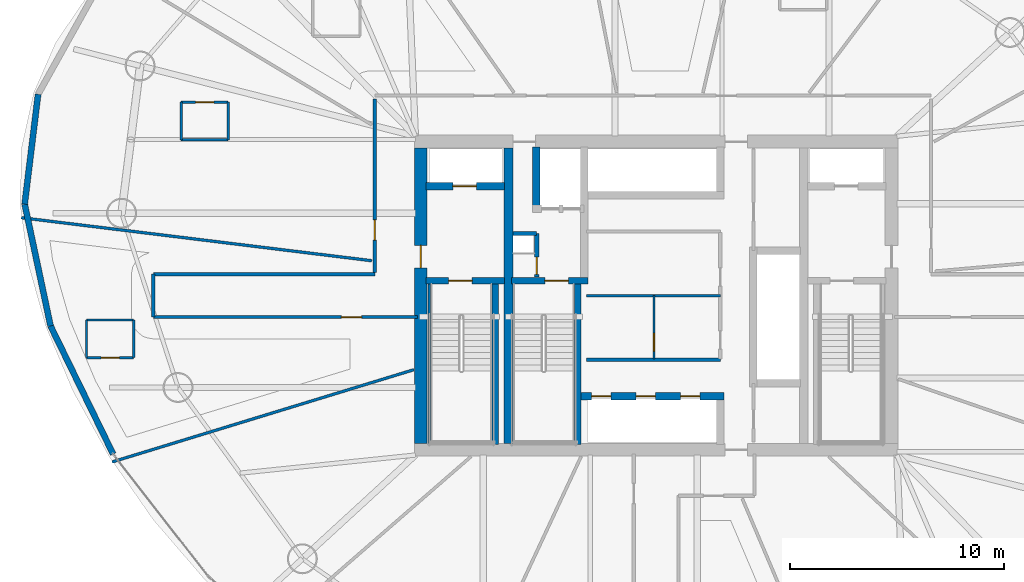
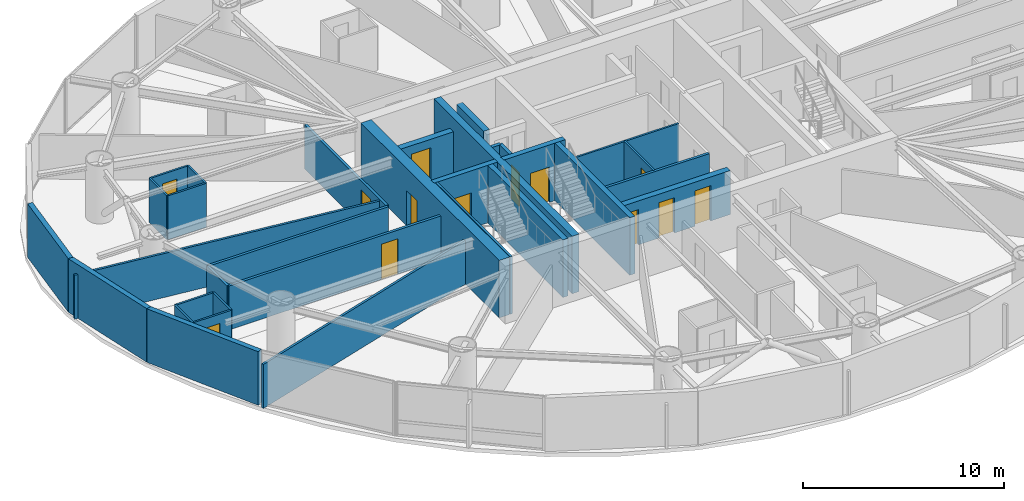
# One storey, part 14 of 20: 32 walls, 13 doors, 13 openings.
"""IFC4 building model written with IfcOpenShell, lengths in metres."""

import ifcopenshell
import ifcopenshell.guid

model = None  # the IFC model being written
_history = None  # IfcOwnerHistory: only IFC2X3 demands one
_inside = {}  # id of a spatial element -> (the spatial element, [elements in it])
_under = {}  # id of a project, library or spatial element -> (it, [spatial elements below it])
_declared = {}  # id of a project -> (the project, [libraries it declares])
_typed = {}  # id of a type object -> (the type object, [elements of that type])
_made_of = {}  # id of a material, layer set ... -> (it, [elements and type objects made of it])


def new_model(schema):
    """Start an empty IFC model of exactly this schema.

    Asked for "IFC4X3", IfcOpenShell would pick the latest addendum, in which some entities
    have other attributes; the version numbers below select the first issue.
    IFC2X3 requires an IfcOwnerHistory on every rooted entity: one is made here for all.
    """
    global model, _history
    if schema == "IFC4X3":
        model = ifcopenshell.file(schema_version=(4, 3, 0, 0))
    else:
        model = ifcopenshell.file(schema=schema)
    _inside.clear()
    _under.clear()
    _declared.clear()
    _typed.clear()
    _made_of.clear()
    _history = None
    if model.schema == "IFC2X3":
        org = make("IfcOrganization", Name="unknown")
        user = make(
            "IfcPersonAndOrganization",
            ThePerson=make("IfcPerson", FamilyName="unknown"),
            TheOrganization=org,
        )
        app = make(
            "IfcApplication",
            ApplicationDeveloper=org,
            Version="unknown",
            ApplicationFullName="unknown",
            ApplicationIdentifier="unknown",
        )
        _history = make(
            "IfcOwnerHistory",
            OwningUser=user,
            OwningApplication=app,
            ChangeAction="ADDED",
            CreationDate=0,
        )
    return model


def make(cls, **values):
    """One entity of the class cls with the attributes given. An attribute that is None is left unset."""
    return model.create_entity(
        cls, **{name: value for name, value in values.items() if value is not None}
    )


def rooted(cls, **values):
    """An entity with a GlobalId (a new one), such as an element, a storey or a relation."""
    return make(cls, GlobalId=ifcopenshell.guid.new(), OwnerHistory=_history, **values)


def si_unit(unit_type, name, prefix=None):
    """IfcSIUnit, for example si_unit("LENGTHUNIT", "METRE", prefix="MILLI")."""
    return make("IfcSIUnit", UnitType=unit_type, Prefix=prefix, Name=name)


def assignment(units):
    """IfcUnitAssignment: the units of a project."""
    return None if units is None else make("IfcUnitAssignment", Units=units)


def point(xyz):
    """IfcCartesianPoint."""
    return None if xyz is None else make("IfcCartesianPoint", Coordinates=xyz)


def direction(xyz):
    """IfcDirection."""
    return None if xyz is None else make("IfcDirection", DirectionRatios=xyz)


def frame(location, z_axis=None, x_axis=None):
    """IfcAxis2Placement3D, a coordinate frame: its origin and axes. An axis left out is left unset."""
    return make(
        "IfcAxis2Placement3D",
        Location=point(location),
        Axis=direction(z_axis),
        RefDirection=direction(x_axis),
    )


def frame_2d(location, x_axis=None):
    """IfcAxis2Placement2D, a coordinate frame in the plane: its origin and x axis."""
    return make(
        "IfcAxis2Placement2D", Location=point(location), RefDirection=direction(x_axis)
    )


def origin():
    """The frame at (0, 0, 0) with its axes left unset."""
    return frame((0.0, 0.0, 0.0))


def place(relative_to, where):
    """IfcLocalPlacement: puts the frame where relative to a parent placement (None: the world)."""
    return make(
        "IfcLocalPlacement", PlacementRelTo=relative_to, RelativePlacement=where
    )


def context(
    kind, dimensions, precision=None, world=None, true_north=None, identifier=None
):
    """IfcGeometricRepresentationContext, for example the 3D "Model" context."""
    return make(
        "IfcGeometricRepresentationContext",
        ContextIdentifier=identifier,
        ContextType=kind,
        CoordinateSpaceDimension=dimensions,
        Precision=precision,
        WorldCoordinateSystem=world,
        TrueNorth=true_north,
    )


def subcontext(parent, identifier, kind, view, scale=None):
    """IfcGeometricRepresentationSubContext, for example "Body" below "Model"."""
    return make(
        "IfcGeometricRepresentationSubContext",
        ContextIdentifier=identifier,
        ContextType=kind,
        ParentContext=parent,
        TargetScale=scale,
        TargetView=view,
    )


def project(units=None, contexts=None):
    """IfcProject with its units and contexts."""
    return rooted(
        "IfcProject",
        Name="project",
        RepresentationContexts=contexts,
        UnitsInContext=assignment(units),
    )


def spatial(cls, under=None, at=None, **own):
    """A site, building, storey or space (cls), placed at a placement, below another one or the project."""
    s = rooted(cls, ObjectPlacement=at, **own)
    if under is not None:
        _under.setdefault(under.id(), (under, []))[1].append(s)
    return s


def profile(cls, at=None, kind="AREA", **sizes):
    """A parametric profile (cls). Its sizes go by their IFC names, for example OverallWidth=200.0."""
    return make(cls, ProfileType=kind, Position=at, **sizes)


def rectangle(**sizes):
    """IfcRectangleProfileDef."""
    return profile("IfcRectangleProfileDef", **sizes)


def extrude(swept, where, along, depth):
    """IfcExtrudedAreaSolid: the profile swept, set in the frame where, extruded along a direction by depth."""
    return make(
        "IfcExtrudedAreaSolid",
        SweptArea=swept,
        Position=where,
        ExtrudedDirection=direction(along),
        Depth=depth,
    )


def shape(context_of_items, identifier, shape_type, items):
    """IfcShapeRepresentation: the items that make up one representation, for example the "Body"."""
    return make(
        "IfcShapeRepresentation",
        ContextOfItems=context_of_items,
        RepresentationIdentifier=identifier,
        RepresentationType=shape_type,
        Items=items,
    )


def material(Name=None, Category=None):
    """IfcMaterial."""
    return make("IfcMaterial", Name=Name, Category=Category)


def layer(
    of_material, thickness, ventilated=None, Name=None, Category=None, Priority=None
):
    """IfcMaterialLayer: one layer of a wall or slab, of a material (None: an air gap)."""
    return make(
        "IfcMaterialLayer",
        Material=of_material,
        LayerThickness=thickness,
        IsVentilated=ventilated,
        Name=Name,
        Category=Category,
        Priority=Priority,
    )


def layer_set(layers, Name=None):
    """IfcMaterialLayerSet."""
    return make("IfcMaterialLayerSet", MaterialLayers=layers, LayerSetName=Name)


def made_of(thing, what):
    """Note that an element or type object is made of a material, layer set ...; save() writes the relation."""
    if what is not None:
        _made_of.setdefault(what.id(), (what, []))[1].append(thing)
    return thing


def type_object(cls, material=None, **own):
    """A type object (cls), such as IfcWallType, which elements share."""
    return made_of(rooted(cls, **own), material)


def element(
    cls,
    number,
    at=None,
    inside=None,
    cuts=None,
    type_object=None,
    material=None,
    context=None,
    identifier="Body",
    shape_type=None,
    held_by="IfcProductDefinitionShape",
    body=None,
    shapes=None,
    **own,
):
    """One element of the class cls, such as IfcWall. Its Tag is "e" and its number.

    at: its placement. inside: the storey or other place that contains it. cuts: it is an
    opening in that element (IfcRelVoidsElement). A single representation is given by context,
    identifier, shape_type and body (its items); several are given by shapes. held_by: the class
    of the entity that holds the representations. save() writes the other relations.
    """
    e = rooted(cls, Tag="e%d" % number, ObjectPlacement=at, **own)
    if body is not None:
        shapes = [shape(context, identifier, shape_type, body)]
    if shapes is not None:
        e.Representation = make(held_by, Representations=shapes)
    if inside is not None:
        _inside.setdefault(inside.id(), (inside, []))[1].append(e)
    if cuts is not None:
        rooted(
            "IfcRelVoidsElement", RelatingBuildingElement=cuts, RelatedOpeningElement=e
        )
    if type_object is not None:
        _typed.setdefault(type_object.id(), (type_object, []))[1].append(e)
    return made_of(e, material)


def fill(opening, filler):
    """IfcRelFillsElement: the door or window that sits in an opening."""
    return rooted(
        "IfcRelFillsElement",
        RelatingOpeningElement=opening,
        RelatedBuildingElement=filler,
    )


def aggregate(whole, parts):
    """IfcRelAggregates: a whole, such as a stair, and the parts it consists of."""
    return rooted("IfcRelAggregates", RelatingObject=whole, RelatedObjects=parts)


def save(model, path):
    """Write the relations noted so far, then the file.

    IfcRelAggregates (storeys below a building ...), IfcRelContainedInSpatialStructure (elements
    in a storey), IfcRelDefinesByType, IfcRelAssociatesMaterial and IfcRelDeclares: one each for
    every whole, place, type object, material and project.
    """
    for whole, parts in _under.values():
        aggregate(whole, parts)
    for where, things in _inside.values():
        rooted(
            "IfcRelContainedInSpatialStructure",
            RelatedElements=things,
            RelatingStructure=where,
        )
    for kind, things in _typed.values():
        rooted("IfcRelDefinesByType", RelatedObjects=things, RelatingType=kind)
    for what, things in _made_of.values():
        rooted("IfcRelAssociatesMaterial", RelatedObjects=things, RelatingMaterial=what)
    for by, libraries in _declared.values():
        rooted("IfcRelDeclares", RelatingContext=by, RelatedDefinitions=libraries)
    model.write(path)


model = new_model("IFC4")

# Units and contexts
model_context = context("Model", 3, precision=1e-05, world=origin(), true_north=direction((0.0, 1.0)))
body_context = subcontext(model_context, "Body", "Model", "MODEL_VIEW")
ifc_project = project(units=[si_unit("LENGTHUNIT", "METRE"), si_unit("AREAUNIT", "SQUARE_METRE"), si_unit("VOLUMEUNIT", "CUBIC_METRE"), si_unit("PLANEANGLEUNIT", "RADIAN"), si_unit("MASSUNIT", "GRAM", prefix="KILO")], contexts=[model_context])

# Site, building, storey
site_placement = place(None, origin())
site = spatial("IfcSite", under=ifc_project, at=site_placement, CompositionType="ELEMENT")
building_placement = place(site_placement, origin())
building = spatial("IfcBuilding", under=site, at=building_placement, Name="Bramvorn Convention Spire", CompositionType="ELEMENT")
storey_placement = place(building_placement, frame((0.0, 0.0, 106.300048828125)))
storey = spatial("IfcBuildingStorey", under=building, at=storey_placement, Name="L25", CompositionType="ELEMENT", Elevation=106.300048828125)

# Wall, opening, door
ifc_material_1 = material(Name="Concrete C60/70", Category="concrete")
ifc_layer_1 = layer(ifc_material_1, 0.60009765625)
ifc_layer_set_1 = layer_set([ifc_layer_1], Name="Concrete C60/70 - WL-CORE-600")
wall_type_1 = type_object("IfcWallType", Name="WL-CORE-600", PredefinedType="SHEAR", material=ifc_layer_set_1)
wall_1_placement = place(storey_placement, frame((27.0, 19.10009765625, 0.0), z_axis=(0.0, 0.0, 1.0), x_axis=(0.0, 1.0, 0.0)))
wall_1 = element("IfcWall", 1, at=wall_1_placement, inside=storey, type_object=wall_type_1, Name="L25 West RC core shear wall", PredefinedType="SHEAR", context=body_context, shape_type="SweptSolid", body=[
    extrude(rectangle(XDim=13.7998046875, YDim=0.60009765625, at=frame_2d((6.89990234375, 0.0))), origin(), (0.0, 0.0, 1.0), 3.5),
])
opening_1_placement = place(wall_1_placement, frame((8.199951171875, 0.0, 0.0)))
opening_1 = element("IfcOpeningElement", 2, at=opening_1_placement, cuts=wall_1, Name="Opening DL-105", PredefinedType="OPENING", context=body_context, shape_type="SweptSolid", body=[
    extrude(rectangle(XDim=1.050048828125, YDim=2.14990234375, at=frame_2d((0.52490234375, 1.074951171875))), frame((0.0, 0.31005859375, 0.0), z_axis=(0.0, -1.0, 0.0), x_axis=(1.0, 0.0, 0.0)), (0.0, 0.0, 1.0), 0.6201171875),
])
ifc_material_2 = material(Name="Smoke-Sealed Fire Lobby Timber-Core Door", Category="wood")
door_type_1 = type_object("IfcDoorType", Name="DR-LOBBY-1050", OperationType="NOTDEFINED", PredefinedType="DOOR", material=ifc_material_2)
door_1_placement = place(opening_1_placement, origin())
door_1 = element("IfcDoor", 3, at=door_1_placement, inside=storey, type_object=door_type_1, Name="L25 West Firefighting Lobby corridor door", OperationType="SINGLE_SWING_RIGHT", OverallHeight=2.14990234375, OverallWidth=1.050048828125, PredefinedType="DOOR", context=body_context, shape_type="SweptSolid", body=[
    extrude(rectangle(XDim=1.050048828125, YDim=2.14990234375, at=frame_2d((0.52490234375, 1.074951171875))), frame((0.0, 0.02490234375, 0.0), z_axis=(0.0, -1.0, 0.0), x_axis=(1.0, 0.0, 0.0)), (0.0, 0.0, 1.0), 0.050048828125),
])
fill(opening_1, door_1)

ifc_material_3 = material(Name="Concrete C50/60", Category="concrete")
ifc_layer_2 = layer(ifc_material_3, 0.35009765625)
ifc_layer_set_2 = layer_set([ifc_layer_2], Name="Concrete C50/60 - WL-CORE-INT-350")
wall_type_2 = type_object("IfcWallType", Name="WL-CORE-INT-350", PredefinedType="SHEAR", material=ifc_layer_set_2)
wall_2_placement = place(storey_placement, frame((27.25, 31.1201171875, 0.0), z_axis=(0.0, 0.0, 1.0), x_axis=(1.0, 0.0, 0.0)))
wall_2 = element("IfcWall", 4, at=wall_2_placement, inside=storey, type_object=wall_type_2, Name="L25 FE1 shaft front wall", PredefinedType="SHEAR", context=body_context, shape_type="SweptSolid", body=[
    extrude(rectangle(XDim=3.669921875, YDim=0.35009765625, at=frame_2d((1.8349609375, 0.0))), origin(), (0.0, 0.0, 1.0), 2.675048828125),
])
opening_2_placement = place(wall_2_placement, frame((1.25, 0.0, 0.0)))
opening_2 = element("IfcOpeningElement", 5, at=opening_2_placement, cuts=wall_2, Name="Opening LD-110", PredefinedType="OPENING", context=body_context, shape_type="SweptSolid", body=[
    extrude(rectangle(XDim=1.10009765625, YDim=2.14990234375, at=frame_2d((0.550048828125, 1.074951171875))), frame((0.0, 0.18505859375, 0.0), z_axis=(0.0, -1.0, 0.0), x_axis=(1.0, 0.0, 0.0)), (0.0, 0.0, 1.0), 0.3701171875),
])
ifc_material_4 = material(Name="Firefighting & Service Lift Sliding Landing Door", Category="steel")
door_type_2 = type_object("IfcDoorType", Name="DR-LIFT-LD-1100", OperationType="NOTDEFINED", PredefinedType="DOOR", material=ifc_material_4)
door_2_placement = place(opening_2_placement, origin())
door_2 = element("IfcDoor", 6, at=door_2_placement, inside=storey, type_object=door_type_2, Name="L25 Lift FE1 Sliding Landing Door", OperationType="SLIDING_TO_LEFT", OverallHeight=2.14990234375, OverallWidth=1.10009765625, PredefinedType="DOOR", context=body_context, shape_type="SweptSolid", body=[
    extrude(rectangle(XDim=1.10009765625, YDim=2.14990234375, at=frame_2d((0.550048828125, 1.074951171875))), frame((0.0, 0.02490234375, 0.0), z_axis=(0.0, -1.0, 0.0), x_axis=(1.0, 0.0, 0.0)), (0.0, 0.0, 1.0), 0.050048828125),
])
fill(opening_2, door_2)

# Wall
wall_3_placement = place(storey_placement, frame((32.39990234375, 30.219970703125, 0.0), z_axis=(0.0, 0.0, 1.0), x_axis=(0.0, 1.0, 0.0)))
element("IfcWall", 7, at=wall_3_placement, inside=storey, type_object=wall_type_2, Name="L25 SV1 west hoistway wall", PredefinedType="SHEAR", context=body_context, shape_type="SweptSolid", body=[
    extrude(rectangle(XDim=2.72998046875, YDim=0.35009765625, at=frame_2d((1.364990234375, 0.0))), origin(), (0.0, 0.0, 1.0), 2.675048828125),
])

# Wall, openings, doors
wall_4_placement = place(storey_placement, frame((34.489990234375, 21.300048828125, 0.0), z_axis=(0.0, 0.0, 1.0), x_axis=(1.0, 0.0, 0.0)))
wall_4 = element("IfcWall", 8, at=wall_4_placement, inside=storey, type_object=wall_type_2, Name="L25 Mid-rise bank north landing wall", PredefinedType="SHEAR", context=body_context, shape_type="SweptSolid", body=[
    extrude(rectangle(XDim=6.679931640625, YDim=0.35009765625, at=frame_2d((3.33984375, 0.0))), origin(), (0.0, 0.0, 1.0), 2.675048828125),
])
opening_3_placement = place(wall_4_placement, frame((0.5, 0.0, 0.0)))
opening_3 = element("IfcOpeningElement", 9, at=opening_3_placement, cuts=wall_4, Name="Opening LD-090", PredefinedType="OPENING", context=body_context, shape_type="SweptSolid", body=[
    extrude(rectangle(XDim=0.89990234375, YDim=2.14990234375, at=frame_2d((0.449951171875, 1.074951171875))), frame((0.0, 0.18505859375, 0.0), z_axis=(0.0, -1.0, 0.0), x_axis=(1.0, 0.0, 0.0)), (0.0, 0.0, 1.0), 0.3701171875),
])
opening_4_placement = place(wall_4_placement, frame((2.580078125, 0.0, 0.0)))
opening_4 = element("IfcOpeningElement", 10, at=opening_4_placement, cuts=wall_4, Name="Opening LD-090", PredefinedType="OPENING", context=body_context, shape_type="SweptSolid", body=[
    extrude(rectangle(XDim=0.89990234375, YDim=2.14990234375, at=frame_2d((0.449951171875, 1.074951171875))), frame((0.0, 0.18505859375, 0.0), z_axis=(0.0, -1.0, 0.0), x_axis=(1.0, 0.0, 0.0)), (0.0, 0.0, 1.0), 0.3701171875),
])
opening_5_placement = place(wall_4_placement, frame((4.659912109375, 0.0, 0.0)))
opening_5 = element("IfcOpeningElement", 11, at=opening_5_placement, cuts=wall_4, Name="Opening LD-090", PredefinedType="OPENING", context=body_context, shape_type="SweptSolid", body=[
    extrude(rectangle(XDim=0.89990234375, YDim=2.14990234375, at=frame_2d((0.449951171875, 1.074951171875))), frame((0.0, 0.18505859375, 0.0), z_axis=(0.0, -1.0, 0.0), x_axis=(1.0, 0.0, 0.0)), (0.0, 0.0, 1.0), 0.3701171875),
])
ifc_material_5 = material(Name="Bi-Parting Fire-Rated Lift Landing Door", Category="steel")
door_type_3 = type_object("IfcDoorType", Name="DR-LIFT-LD-900", OperationType="NOTDEFINED", PredefinedType="DOOR", material=ifc_material_5)
door_3_placement = place(opening_3_placement, origin())
door_3 = element("IfcDoor", 12, at=door_3_placement, inside=storey, type_object=door_type_3, Name="L25 Lift PM1 Sliding Landing Door", OperationType="SLIDING_TO_LEFT", OverallHeight=2.14990234375, OverallWidth=0.89990234375, PredefinedType="DOOR", context=body_context, shape_type="SweptSolid", body=[
    extrude(rectangle(XDim=0.89990234375, YDim=2.14990234375, at=frame_2d((0.449951171875, 1.074951171875))), frame((0.0, 0.02490234375, 0.0), z_axis=(0.0, -1.0, 0.0), x_axis=(1.0, 0.0, 0.0)), (0.0, 0.0, 1.0), 0.050048828125),
])
fill(opening_3, door_3)
door_4_placement = place(opening_4_placement, origin())
door_4 = element("IfcDoor", 13, at=door_4_placement, inside=storey, type_object=door_type_3, Name="L25 Lift PM2 Sliding Landing Door", OperationType="SLIDING_TO_LEFT", OverallHeight=2.14990234375, OverallWidth=0.89990234375, PredefinedType="DOOR", context=body_context, shape_type="SweptSolid", body=[
    extrude(rectangle(XDim=0.89990234375, YDim=2.14990234375, at=frame_2d((0.449951171875, 1.074951171875))), frame((0.0, 0.02490234375, 0.0), z_axis=(0.0, -1.0, 0.0), x_axis=(1.0, 0.0, 0.0)), (0.0, 0.0, 1.0), 0.050048828125),
])
fill(opening_4, door_4)
door_5_placement = place(opening_5_placement, origin())
door_5 = element("IfcDoor", 14, at=door_5_placement, inside=storey, type_object=door_type_3, Name="L25 Lift PM3 Sliding Landing Door", OperationType="SLIDING_TO_LEFT", OverallHeight=2.14990234375, OverallWidth=0.89990234375, PredefinedType="DOOR", context=body_context, shape_type="SweptSolid", body=[
    extrude(rectangle(XDim=0.89990234375, YDim=2.14990234375, at=frame_2d((0.449951171875, 1.074951171875))), frame((0.0, 0.02490234375, 0.0), z_axis=(0.0, -1.0, 0.0), x_axis=(1.0, 0.0, 0.0)), (0.0, 0.0, 1.0), 0.050048828125),
])
fill(opening_5, door_5)

# Walls
ifc_layer_3 = layer(ifc_material_1, 0.39990234375)
ifc_layer_set_3 = layer_set([ifc_layer_3], Name="Concrete C60/70 - WL-CORE-INT-400")
wall_type_3 = type_object("IfcWallType", Name="WL-CORE-INT-400", PredefinedType="SHEAR", material=ifc_layer_set_3)
wall_5_placement = place(storey_placement, frame((31.10009765625, 19.10009765625, 0.0), z_axis=(0.0, 0.0, 1.0), x_axis=(0.0, 1.0, 0.0)))
element("IfcWall", 15, at=wall_5_placement, inside=storey, type_object=wall_type_3, Name="L25 West internal core shear web", PredefinedType="SHEAR", context=body_context, shape_type="SweptSolid", body=[
    extrude(rectangle(XDim=13.7998046875, YDim=0.39990234375, at=frame_2d((6.89990234375, 0.0))), origin(), (0.0, 0.0, 1.0), 3.5),
])
ifc_material_6 = material(Name="Precast Concrete C40/50 with Bronze Terracotta Rainscreen", Category="masonry")
ifc_layer_4 = layer(ifc_material_6, 0.300048828125)
ifc_layer_set_4 = layer_set([ifc_layer_4], Name="Precast Concrete C40/50 with Bronze Terracotta Rainscreen - WL-EXT-BRONZE-300")
wall_type_4 = type_object("IfcWallType", Name="WL-EXT-BRONZE-300", PredefinedType="SOLIDWALL", material=ifc_layer_set_4)
wall_6_placement = place(storey_placement, frame((8.487060546875, 30.277099609375, 0.0), z_axis=(0.0, 0.0, 1.0), x_axis=(0.121357138015, 0.992608908409, 0.0)))
element("IfcWall", 16, at=wall_6_placement, inside=storey, type_object=wall_type_4, Name="L25 expressed bronze Gothic lancet pier wall 13", PredefinedType="SOLIDWALL", context=body_context, shape_type="SweptSolid", body=[
    extrude(rectangle(XDim=5.17431640625, YDim=0.280029296875, at=frame_2d((2.587158203125, 0.0))), origin(), (0.0, 0.0, 1.0), 3.260009765625),
])
wall_7_placement = place(storey_placement, frame((9.697021484375, 24.581298828125, 0.0), z_axis=(0.0, 0.0, 1.0), x_axis=(-0.207793566565, 0.978172701364, 0.0)))
element("IfcWall", 17, at=wall_7_placement, inside=storey, type_object=wall_type_4, Name="L25 expressed bronze Gothic lancet pier wall 14", PredefinedType="SOLIDWALL", context=body_context, shape_type="SweptSolid", body=[
    extrude(rectangle(XDim=5.822998046875, YDim=0.280029296875, at=frame_2d((2.91162109375, 0.0))), origin(), (0.0, 0.0, 1.0), 3.260009765625),
])
wall_8_placement = place(storey_placement, frame((12.62255859375, 18.5927734375, 0.0), z_axis=(0.0, 0.0, 1.0), x_axis=(-0.43894534719, 0.898513762933, 0.0)))
element("IfcWall", 18, at=wall_8_placement, inside=storey, type_object=wall_type_4, Name="L25 expressed bronze Gothic lancet pier wall 15", PredefinedType="SOLIDWALL", context=body_context, shape_type="SweptSolid", body=[
    extrude(rectangle(XDim=6.6650390625, YDim=0.280029296875, at=frame_2d((3.33251953125, 0.0))), origin(), (0.0, 0.0, 1.0), 3.260009765625),
])
ifc_material_7 = material(Name="Lightweight En-Suite & Wet-Wall Partition", Category="gypsum")
ifc_layer_5 = layer(ifc_material_7, 0.110107421875)
ifc_layer_set_5 = layer_set([ifc_layer_5], Name="Lightweight En-Suite & Wet-Wall Partition - WL-PART-110")
wall_type_5 = type_object("IfcWallType", Name="WL-PART-110", PredefinedType="PARTITIONING", material=ifc_layer_set_5)
wall_9_placement = place(storey_placement, frame((34.75, 26.0, 0.0), z_axis=(0.0, 0.0, 1.0), x_axis=(1.0, 0.0, 0.0)))
element("IfcWall", 19, at=wall_9_placement, inside=storey, type_object=wall_type_5, Name="L25 KA horizontal core divider", PredefinedType="PARTITIONING", context=body_context, shape_type="SweptSolid", body=[
    extrude(rectangle(XDim=6.25, YDim=0.110107421875, at=frame_2d((3.125, 0.0))), origin(), (0.0, 0.0, 1.0), 2.675048828125),
])

# Wall, opening, door
wall_10_placement = place(storey_placement, frame((37.89990234375, 23.050048828125, 0.0), z_axis=(0.0, 0.0, 1.0), x_axis=(0.0, 1.0, 0.0)))
wall_10 = element("IfcWall", 20, at=wall_10_placement, inside=storey, type_object=wall_type_5, Name="L25 KA restroom subwall", PredefinedType="PARTITIONING", context=body_context, shape_type="SweptSolid", body=[
    extrude(rectangle(XDim=2.949951171875, YDim=0.110107421875, at=frame_2d((1.47509765625, 0.0))), origin(), (0.0, 0.0, 1.0), 2.675048828125),
])
opening_6_placement = place(wall_10_placement, frame((0.35009765625, 0.0, 0.0)))
opening_6 = element("IfcOpeningElement", 21, at=opening_6_placement, cuts=wall_10, Name="Opening DC-085", PredefinedType="OPENING", context=body_context, shape_type="SweptSolid", body=[
    extrude(rectangle(XDim=0.85009765625, YDim=2.10009765625, at=frame_2d((0.425048828125, 1.050048828125))), frame((0.0, 0.06494140625, 0.0), z_axis=(0.0, -1.0, 0.0), x_axis=(1.0, 0.0, 0.0)), (0.0, 0.0, 1.0), 0.130126953125),
])
ifc_material_8 = material(Name="Fire-Rated Core Washroom & IDF Door", Category="wood")
door_type_4 = type_object("IfcDoorType", Name="DR-CORE-850", OperationType="NOTDEFINED", PredefinedType="DOOR", material=ifc_material_8)
door_6_placement = place(opening_6_placement, origin())
door_6 = element("IfcDoor", 22, at=door_6_placement, inside=storey, type_object=door_type_4, Name="L25 Core IT Closet door", OperationType="SINGLE_SWING_LEFT", OverallHeight=2.10009765625, OverallWidth=0.85009765625, PredefinedType="DOOR", context=body_context, shape_type="SweptSolid", body=[
    extrude(rectangle(XDim=0.85009765625, YDim=2.10009765625, at=frame_2d((0.425048828125, 1.050048828125))), frame((0.0, 0.02490234375, 0.0), z_axis=(0.0, -1.0, 0.0), x_axis=(1.0, 0.0, 0.0)), (0.0, 0.0, 1.0), 0.050048828125),
])
fill(opening_6, door_6)

# Wall
wall_11_placement = place(storey_placement, frame((15.79833984375, 33.28076171875, 0.0), z_axis=(0.0, 0.0, 1.0), x_axis=(1.0, 0.0, 0.0)))
element("IfcWall", 23, at=wall_11_placement, inside=storey, type_object=wall_type_5, Name="Hotel Suite 2507 en-suite south wall", PredefinedType="PARTITIONING", context=body_context, shape_type="SweptSolid", body=[
    extrude(rectangle(XDim=2.199951171875, YDim=0.110107421875, at=frame_2d((1.10009765625, 0.0))), origin(), (0.0, 0.0, 1.0), 2.675048828125),
])

# Wall, opening, door
wall_12_placement = place(storey_placement, frame((15.79833984375, 35.040771484375, 0.0), z_axis=(0.0, 0.0, 1.0), x_axis=(1.0, 0.0, 0.0)))
wall_12 = element("IfcWall", 24, at=wall_12_placement, inside=storey, type_object=wall_type_5, Name="Hotel Suite 2507 en-suite north wall", PredefinedType="PARTITIONING", context=body_context, shape_type="SweptSolid", body=[
    extrude(rectangle(XDim=2.199951171875, YDim=0.110107421875, at=frame_2d((1.10009765625, 0.0))), origin(), (0.0, 0.0, 1.0), 2.675048828125),
])
opening_7_placement = place(wall_12_placement, frame((0.679931640625, 0.0, 0.0)))
opening_7 = element("IfcOpeningElement", 25, at=opening_7_placement, cuts=wall_12, Name="Opening DI-085", PredefinedType="OPENING", context=body_context, shape_type="SweptSolid", body=[
    extrude(rectangle(XDim=0.85009765625, YDim=2.10009765625, at=frame_2d((0.425048828125, 1.050048828125))), frame((0.0, 0.06494140625, 0.0), z_axis=(0.0, -1.0, 0.0), x_axis=(1.0, 0.0, 0.0)), (0.0, 0.0, 1.0), 0.130126953125),
])
ifc_material_9 = material(Name="En-Suite & Restroom Privacy Door", Category="wood")
door_type_5 = type_object("IfcDoorType", Name="DR-INT-850", OperationType="NOTDEFINED", PredefinedType="DOOR", material=ifc_material_9)
door_7_placement = place(opening_7_placement, origin())
door_7 = element("IfcDoor", 26, at=door_7_placement, inside=storey, type_object=door_type_5, Name="Hotel Suite 2507 En-Suite Bathroom door", OperationType="SINGLE_SWING_LEFT", OverallHeight=2.10009765625, OverallWidth=0.85009765625, PredefinedType="DOOR", context=body_context, shape_type="SweptSolid", body=[
    extrude(rectangle(XDim=0.85009765625, YDim=2.10009765625, at=frame_2d((0.425048828125, 1.050048828125))), frame((0.0, 0.02490234375, 0.0), z_axis=(0.0, -1.0, 0.0), x_axis=(1.0, 0.0, 0.0)), (0.0, 0.0, 1.0), 0.050048828125),
])
fill(opening_7, door_7)

# Walls
for number, where, z_axis, x_axis, name in (
    (27, (15.79833984375, 33.28076171875, 0.0), (0.0, 0.0, 1.0), (0.0, 1.0, 0.0), "Hotel Suite 2507 en-suite west wall"),
    (28, (17.998291015625, 33.28076171875, 0.0), (0.0, 0.0, 1.0), (0.0, 1.0, 0.0), "Hotel Suite 2507 en-suite east wall"),
):
    element("IfcWall", number, at=place(storey_placement, frame(where, z_axis=z_axis, x_axis=x_axis)), inside=storey, type_object=wall_type_5, Name=name, PredefinedType="PARTITIONING", context=body_context, shape_type="SweptSolid", body=[
        extrude(rectangle(XDim=1.760009765625, YDim=0.110107421875, at=frame_2d((0.8798828125, 0.0))), origin(), (0.0, 0.0, 1.0), 2.675048828125),
    ])

# Wall, opening, door
wall_13_placement = place(storey_placement, frame((11.37890625, 23.1005859375, 0.0), z_axis=(0.0, 0.0, 1.0), x_axis=(1.0, 0.0, 0.0)))
wall_13 = element("IfcWall", 29, at=wall_13_placement, inside=storey, type_object=wall_type_5, Name="Hotel Suite 2508 en-suite south wall", PredefinedType="PARTITIONING", context=body_context, shape_type="SweptSolid", body=[
    extrude(rectangle(XDim=2.2001953125, YDim=0.110107421875, at=frame_2d((1.10009765625, 0.0))), origin(), (0.0, 0.0, 1.0), 2.675048828125),
])
opening_8_placement = place(wall_13_placement, frame((0.679931640625, 0.0, 0.0)))
opening_8 = element("IfcOpeningElement", 30, at=opening_8_placement, cuts=wall_13, Name="Opening DI-085", PredefinedType="OPENING", context=body_context, shape_type="SweptSolid", body=[
    extrude(rectangle(XDim=0.85009765625, YDim=2.10009765625, at=frame_2d((0.425048828125, 1.050048828125))), frame((0.0, 0.06494140625, 0.0), z_axis=(0.0, -1.0, 0.0), x_axis=(1.0, 0.0, 0.0)), (0.0, 0.0, 1.0), 0.130126953125),
])
door_8_placement = place(opening_8_placement, origin())
door_8 = element("IfcDoor", 31, at=door_8_placement, inside=storey, type_object=door_type_5, Name="Hotel Suite 2508 En-Suite Bathroom door", OperationType="SINGLE_SWING_LEFT", OverallHeight=2.10009765625, OverallWidth=0.85009765625, PredefinedType="DOOR", context=body_context, shape_type="SweptSolid", body=[
    extrude(rectangle(XDim=0.85009765625, YDim=2.10009765625, at=frame_2d((0.425048828125, 1.050048828125))), frame((0.0, 0.02490234375, 0.0), z_axis=(0.0, -1.0, 0.0), x_axis=(1.0, 0.0, 0.0)), (0.0, 0.0, 1.0), 0.050048828125),
])
fill(opening_8, door_8)

# Walls
wall_14_placement = place(storey_placement, frame((11.37890625, 24.860595703125, 0.0), z_axis=(0.0, 0.0, 1.0), x_axis=(1.0, 0.0, 0.0)))
element("IfcWall", 32, at=wall_14_placement, inside=storey, type_object=wall_type_5, Name="Hotel Suite 2508 en-suite north wall", PredefinedType="PARTITIONING", context=body_context, shape_type="SweptSolid", body=[
    extrude(rectangle(XDim=2.2001953125, YDim=0.110107421875, at=frame_2d((1.10009765625, 0.0))), origin(), (0.0, 0.0, 1.0), 2.675048828125),
])
for number, where, z_axis, x_axis, name in (
    (33, (11.37890625, 23.1005859375, 0.0), (0.0, 0.0, 1.0), (0.0, 1.0, 0.0), "Hotel Suite 2508 en-suite west wall"),
    (34, (13.5791015625, 23.1005859375, 0.0), (0.0, 0.0, 1.0), (0.0, 1.0, 0.0), "Hotel Suite 2508 en-suite east wall"),
):
    element("IfcWall", number, at=place(storey_placement, frame(where, z_axis=z_axis, x_axis=x_axis)), inside=storey, type_object=wall_type_5, Name=name, PredefinedType="PARTITIONING", context=body_context, shape_type="SweptSolid", body=[
        extrude(rectangle(XDim=1.760009765625, YDim=0.110107421875, at=frame_2d((0.8798828125, 0.0))), origin(), (0.0, 0.0, 1.0), 2.675048828125),
    ])
ifc_material_10 = material(Name="Metal-Stud Demountable Office Partition", Category="gypsum")
ifc_layer_6 = layer(ifc_material_10, 0.1298828125)
ifc_layer_set_6 = layer_set([ifc_layer_6], Name="Metal-Stud Demountable Office Partition - WL-PART-130")
wall_type_6 = type_object("IfcWallType", Name="WL-PART-130", PredefinedType="PARTITIONING", material=ifc_layer_set_6)
wall_15_placement = place(storey_placement, frame((24.7099609375, 27.6318359375, 0.0), z_axis=(0.0, 0.0, 1.0), x_axis=(-0.992546751309, 0.121864459407, 0.0)))
element("IfcWall", 35, at=wall_15_placement, inside=storey, type_object=wall_type_6, Name="L25 Guestroom demising wall 8", PredefinedType="PARTITIONING", context=body_context, shape_type="SweptSolid", body=[
    extrude(rectangle(XDim=16.505859375, YDim=0.1298828125, at=frame_2d((8.2529296875, 0.0))), origin(), (0.0, 0.0, 1.0), 2.675048828125),
])
wall_16_placement = place(storey_placement, frame((26.679931640625, 22.5390625, 0.0), z_axis=(0.0, 0.0, 1.0), x_axis=(-0.956307870359, -0.292361517799, 0.0)))
element("IfcWall", 36, at=wall_16_placement, inside=storey, type_object=wall_type_6, Name="L25 Guestroom demising wall 9", PredefinedType="PARTITIONING", context=body_context, shape_type="SweptSolid", body=[
    extrude(rectangle(XDim=14.7490234375, YDim=0.1298828125, at=frame_2d((7.37451171875, 0.0))), origin(), (0.0, 0.0, 1.0), 2.675048828125),
])
ifc_material_11 = material(Name="Acoustic Metal-Stud Tenant/Corridor Partition", Category="gypsum")
ifc_layer_7 = layer(ifc_material_11, 0.14990234375)
ifc_layer_set_7 = layer_set([ifc_layer_7], Name="Acoustic Metal-Stud Tenant/Corridor Partition - WL-PART-150")
wall_type_7 = type_object("IfcWallType", Name="WL-PART-150", PredefinedType="PARTITIONING", material=ifc_layer_set_7)
wall_17_placement = place(storey_placement, frame((34.75, 23.0, 0.0), z_axis=(0.0, 0.0, 1.0), x_axis=(1.0, 0.0, 0.0)))
element("IfcWall", 37, at=wall_17_placement, inside=storey, type_object=wall_type_7, Name="L25 Mid-rise lift vestibule north wall", PredefinedType="PARTITIONING", context=body_context, shape_type="SweptSolid", body=[
    extrude(rectangle(XDim=6.25, YDim=0.14990234375, at=frame_2d((3.125, 0.0))), origin(), (0.0, 0.0, 1.0), 2.675048828125),
])

# Wall, opening, door
wall_18_placement = place(storey_placement, frame((24.85009765625, 27.080078125, 0.0), z_axis=(0.0, 0.0, 1.0), x_axis=(0.0, 1.0, 0.0)))
wall_18 = element("IfcWall", 38, at=wall_18_placement, inside=storey, type_object=wall_type_7, Name="L25 NW gallery cheek", PredefinedType="PARTITIONING", context=body_context, shape_type="SweptSolid", body=[
    extrude(rectangle(XDim=8.119873046875, YDim=0.14990234375, at=frame_2d((4.06005859375, 0.0))), origin(), (0.0, 0.0, 1.0), 2.675048828125),
])
opening_9_placement = place(wall_18_placement, frame((1.51318359375, 0.0, 0.0)))
opening_9 = element("IfcOpeningElement", 39, at=opening_9_placement, cuts=wall_18, Name="Opening DH-095", PredefinedType="OPENING", context=body_context, shape_type="SweptSolid", body=[
    extrude(rectangle(XDim=0.949951171875, YDim=2.14990234375, at=frame_2d((0.47509765625, 1.074951171875))), frame((0.0, 0.0849609375, 0.0), z_axis=(0.0, -1.0, 0.0), x_axis=(1.0, 0.0, 0.0)), (0.0, 0.0, 1.0), 0.169921875),
])
ifc_material_12 = material(Name="Solid-Core Acoustic Guestroom Entry Door", Category="wood")
door_type_6 = type_object("IfcDoorType", Name="DR-HOTEL-950", OperationType="NOTDEFINED", PredefinedType="DOOR", material=ifc_material_12)
door_9_placement = place(opening_9_placement, origin())
door_9 = element("IfcDoor", 40, at=door_9_placement, inside=storey, type_object=door_type_6, Name="Hotel Suite 2507 entry door", OperationType="SINGLE_SWING_RIGHT", OverallHeight=2.14990234375, OverallWidth=0.949951171875, PredefinedType="DOOR", context=body_context, shape_type="SweptSolid", body=[
    extrude(rectangle(XDim=0.949951171875, YDim=2.14990234375, at=frame_2d((0.47509765625, 1.074951171875))), frame((0.0, 0.02490234375, 0.0), z_axis=(0.0, -1.0, 0.0), x_axis=(1.0, 0.0, 0.0)), (0.0, 0.0, 1.0), 0.050048828125),
])
fill(opening_9, door_9)

# Wall
wall_19_placement = place(storey_placement, frame((14.5, 27.0, 0.0), z_axis=(0.0, 0.0, 1.0), x_axis=(1.0, 0.0, 0.0)))
element("IfcWall", 41, at=wall_19_placement, inside=storey, type_object=wall_type_7, Name="L25 West wing spine north wall", PredefinedType="PARTITIONING", context=body_context, shape_type="SweptSolid", body=[
    extrude(rectangle(XDim=10.35009765625, YDim=0.14990234375, at=frame_2d((5.175048828125, 0.0))), origin(), (0.0, 0.0, 1.0), 2.675048828125),
])

# Wall, opening, door
wall_20_placement = place(storey_placement, frame((14.5, 25.0, 0.0), z_axis=(0.0, 0.0, 1.0), x_axis=(1.0, 0.0, 0.0)))
wall_20 = element("IfcWall", 42, at=wall_20_placement, inside=storey, type_object=wall_type_7, Name="L25 West wing spine south wall", PredefinedType="PARTITIONING", context=body_context, shape_type="SweptSolid", body=[
    extrude(rectangle(XDim=12.35009765625, YDim=0.14990234375, at=frame_2d((6.175048828125, 0.0))), origin(), (0.0, 0.0, 1.0), 2.675048828125),
])
opening_10_placement = place(wall_20_placement, frame((8.78759765625, 0.0, 0.0)))
opening_10 = element("IfcOpeningElement", 43, at=opening_10_placement, cuts=wall_20, Name="Opening DH-095", PredefinedType="OPENING", context=body_context, shape_type="SweptSolid", body=[
    extrude(rectangle(XDim=0.949951171875, YDim=2.14990234375, at=frame_2d((0.47509765625, 1.074951171875))), frame((0.0, 0.0849609375, 0.0), z_axis=(0.0, -1.0, 0.0), x_axis=(1.0, 0.0, 0.0)), (0.0, 0.0, 1.0), 0.169921875),
])
door_10_placement = place(opening_10_placement, origin())
door_10 = element("IfcDoor", 44, at=door_10_placement, inside=storey, type_object=door_type_6, Name="Hotel Suite 2508 entry door", OperationType="SINGLE_SWING_LEFT", OverallHeight=2.14990234375, OverallWidth=0.949951171875, PredefinedType="DOOR", context=body_context, shape_type="SweptSolid", body=[
    extrude(rectangle(XDim=0.949951171875, YDim=2.14990234375, at=frame_2d((0.47509765625, 1.074951171875))), frame((0.0, 0.02490234375, 0.0), z_axis=(0.0, -1.0, 0.0), x_axis=(1.0, 0.0, 0.0)), (0.0, 0.0, 1.0), 0.050048828125),
])
fill(opening_10, door_10)

# Wall
wall_21_placement = place(storey_placement, frame((14.5, 25.0, 0.0), z_axis=(0.0, 0.0, 1.0), x_axis=(0.0, 1.0, 0.0)))
element("IfcWall", 45, at=wall_21_placement, inside=storey, type_object=wall_type_7, Name="L25 West wing spine end wall", PredefinedType="PARTITIONING", context=body_context, shape_type="SweptSolid", body=[
    extrude(rectangle(XDim=2.0, YDim=0.14990234375, at=frame_2d((1.0, 0.0))), origin(), (0.0, 0.0, 1.0), 2.675048828125),
])

# Wall, opening, door
ifc_material_13 = material(Name="Gypsum Shaftwall & Rockwool Core Partition", Category="gypsum")
ifc_layer_8 = layer(ifc_material_13, 0.199951171875)
ifc_layer_set_8 = layer_set([ifc_layer_8], Name="Gypsum Shaftwall & Rockwool Core Partition - WL-PART-200-FR")
wall_type_8 = type_object("IfcWallType", Name="WL-PART-200-FR", PredefinedType="PARTITIONING", material=ifc_layer_set_8)
wall_22_placement = place(storey_placement, frame((32.419921875, 26.860107421875, 0.0), z_axis=(0.0, 0.0, 1.0), x_axis=(0.0, 1.0, 0.0)))
wall_22 = element("IfcWall", 46, at=wall_22_placement, inside=storey, type_object=wall_type_8, Name="L25 Telecom riser east wall", PredefinedType="PARTITIONING", context=body_context, shape_type="SweptSolid", body=[
    extrude(rectangle(XDim=2.039794921875, YDim=0.199951171875, at=frame_2d((1.02001953125, 0.0))), origin(), (0.0, 0.0, 1.0), 2.675048828125),
])
opening_11_placement = place(wall_22_placement, frame((0.139892578125, 0.0, 0.0)))
opening_11 = element("IfcOpeningElement", 47, at=opening_11_placement, cuts=wall_22, Name="Opening DR-080", PredefinedType="OPENING", context=body_context, shape_type="SweptSolid", body=[
    extrude(rectangle(XDim=0.800048828125, YDim=2.050048828125, at=frame_2d((0.39990234375, 1.02490234375))), frame((0.0, 0.10986328125, 0.0), z_axis=(0.0, -1.0, 0.0), x_axis=(1.0, 0.0, 0.0)), (0.0, 0.0, 1.0), 0.219970703125),
])
ifc_material_14 = material(Name="Flush Steel Riser Access Door", Category="steel")
door_type_7 = type_object("IfcDoorType", Name="DR-RISER-800", OperationType="NOTDEFINED", PredefinedType="DOOR", material=ifc_material_14)
door_11_placement = place(opening_11_placement, origin())
door_11 = element("IfcDoor", 48, at=door_11_placement, inside=storey, type_object=door_type_7, Name="L25 Telecom riser access door", OperationType="SINGLE_SWING_RIGHT", OverallHeight=2.050048828125, OverallWidth=0.800048828125, PredefinedType="DOOR", context=body_context, shape_type="SweptSolid", body=[
    extrude(rectangle(XDim=0.800048828125, YDim=2.050048828125, at=frame_2d((0.39990234375, 1.02490234375))), frame((0.0, 0.02490234375, 0.0), z_axis=(0.0, -1.0, 0.0), x_axis=(1.0, 0.0, 0.0)), (0.0, 0.0, 1.0), 0.050048828125),
])
fill(opening_11, door_11)

# Wall
wall_23_placement = place(storey_placement, frame((31.300048828125, 28.89990234375, 0.0), z_axis=(0.0, 0.0, 1.0), x_axis=(1.0, 0.0, 0.0)))
element("IfcWall", 49, at=wall_23_placement, inside=storey, type_object=wall_type_8, Name="L25 Telecom riser north wall", PredefinedType="PARTITIONING", context=body_context, shape_type="SweptSolid", body=[
    extrude(rectangle(XDim=1.119873046875, YDim=0.199951171875, at=frame_2d((0.56005859375, 0.0))), origin(), (0.0, 0.0, 1.0), 2.675048828125),
])

# Wall, opening, door
ifc_layer_9 = layer(ifc_material_3, 0.300048828125)
ifc_layer_set_9 = layer_set([ifc_layer_9], Name="Concrete C50/60 - WL-POD-STAIR-300")
wall_type_9 = type_object("IfcWallType", Name="WL-POD-STAIR-300", PredefinedType="SHEAR", material=ifc_layer_set_9)
wall_24_placement = place(storey_placement, frame((27.25, 26.68994140625, 0.0), z_axis=(0.0, 0.0, 1.0), x_axis=(1.0, 0.0, 0.0)))
wall_24 = element("IfcWall", 50, at=wall_24_placement, inside=storey, type_object=wall_type_9, Name="L25 ST1 north fire wall", PredefinedType="SHEAR", context=body_context, shape_type="SweptSolid", body=[
    extrude(rectangle(XDim=3.669921875, YDim=0.300048828125, at=frame_2d((1.8349609375, 0.0))), origin(), (0.0, 0.0, 1.0), 3.5),
])
opening_12_placement = place(wall_24_placement, frame((1.050048828125, 0.0, 0.0)))
opening_12 = element("IfcOpeningElement", 51, at=opening_12_placement, cuts=wall_24, Name="Opening DS-110", PredefinedType="OPENING", context=body_context, shape_type="SweptSolid", body=[
    extrude(rectangle(XDim=1.10009765625, YDim=2.14990234375, at=frame_2d((0.550048828125, 1.074951171875))), frame((0.0, 0.159912109375, 0.0), z_axis=(0.0, -1.0, 0.0), x_axis=(1.0, 0.0, 0.0)), (0.0, 0.0, 1.0), 0.320068359375),
])
ifc_material_15 = material(Name="Fire-Rated Hollow Steel Stairwell Door", Category="steel")
door_type_8 = type_object("IfcDoorType", Name="DR-STAIR-1100", OperationType="NOTDEFINED", PredefinedType="DOOR", material=ifc_material_15)
door_12_placement = place(opening_12_placement, origin())
door_12 = element("IfcDoor", 52, at=door_12_placement, inside=storey, type_object=door_type_8, Name="L25 Stair ST1 fire door", OperationType="SINGLE_SWING_LEFT", OverallHeight=2.14990234375, OverallWidth=1.10009765625, PredefinedType="DOOR", context=body_context, shape_type="SweptSolid", body=[
    extrude(rectangle(XDim=1.10009765625, YDim=2.14990234375, at=frame_2d((0.550048828125, 1.074951171875))), frame((0.0, 0.02490234375, 0.0), z_axis=(0.0, -1.0, 0.0), x_axis=(1.0, 0.0, 0.0)), (0.0, 0.0, 1.0), 0.050048828125),
])
fill(opening_12, door_12)

# Walls
for number, where, z_axis, x_axis, name in (
    (53, (30.489990234375, 19.050048828125, 0.0), (0.0, 0.0, 1.0), (0.0, 1.0, 0.0), "L25 ST1 east bearing wall"),
    (54, (34.340087890625, 19.050048828125, 0.0), (0.0, 0.0, 1.0), (0.0, 1.0, 0.0), "L25 ST3 east bearing wall"),
):
    element("IfcWall", number, at=place(storey_placement, frame(where, z_axis=z_axis, x_axis=x_axis)), inside=storey, type_object=wall_type_9, Name=name, PredefinedType="SHEAR", context=body_context, shape_type="SweptSolid", body=[
        extrude(rectangle(XDim=7.5, YDim=0.300048828125, at=frame_2d((3.75, 0.0))), origin(), (0.0, 0.0, 1.0), 3.5),
    ])

# Wall, opening, door
wall_25_placement = place(storey_placement, frame((31.25, 26.68994140625, 0.0), z_axis=(0.0, 0.0, 1.0), x_axis=(1.0, 0.0, 0.0)))
wall_25 = element("IfcWall", 55, at=wall_25_placement, inside=storey, type_object=wall_type_9, Name="L25 ST3 north lobby wall", PredefinedType="SHEAR", context=body_context, shape_type="SweptSolid", body=[
    extrude(rectangle(XDim=3.56005859375, YDim=0.300048828125, at=frame_2d((1.780029296875, 0.0))), origin(), (0.0, 0.0, 1.0), 3.5),
])
opening_13_placement = place(wall_25_placement, frame((1.550048828125, 0.0, 0.0)))
opening_13 = element("IfcOpeningElement", 56, at=opening_13_placement, cuts=wall_25, Name="Opening DS-110", PredefinedType="OPENING", context=body_context, shape_type="SweptSolid", body=[
    extrude(rectangle(XDim=1.10009765625, YDim=2.14990234375, at=frame_2d((0.550048828125, 1.074951171875))), frame((0.0, 0.159912109375, 0.0), z_axis=(0.0, -1.0, 0.0), x_axis=(1.0, 0.0, 0.0)), (0.0, 0.0, 1.0), 0.320068359375),
])
door_13_placement = place(opening_13_placement, origin())
door_13 = element("IfcDoor", 57, at=door_13_placement, inside=storey, type_object=door_type_8, Name="L25 Stair ST3 fire door", OperationType="SINGLE_SWING_LEFT", OverallHeight=2.14990234375, OverallWidth=1.10009765625, PredefinedType="DOOR", context=body_context, shape_type="SweptSolid", body=[
    extrude(rectangle(XDim=1.10009765625, YDim=2.14990234375, at=frame_2d((0.550048828125, 1.074951171875))), frame((0.0, 0.02490234375, 0.0), z_axis=(0.0, -1.0, 0.0), x_axis=(1.0, 0.0, 0.0)), (0.0, 0.0, 1.0), 0.050048828125),
])
fill(opening_13, door_13)

# Wall
ifc_layer_10 = layer(ifc_material_3, 0.1201171875)
ifc_layer_set_10 = layer_set([ifc_layer_10], Name="Concrete C50/60 - WL-STAIR-RC-120")
wall_type_10 = type_object("IfcWallType", Name="WL-STAIR-RC-120", PredefinedType="SHEAR", material=ifc_layer_set_10)
wall_26_placement = place(storey_placement, frame((27.39501953125, 19.10009765625, 0.0), z_axis=(0.0, 0.0, 1.0), x_axis=(0.0, 1.0, 0.0)))
element("IfcWall", 58, at=wall_26_placement, inside=storey, type_object=wall_type_10, Name="L25 ST1 west bearing shear wall", PredefinedType="SHEAR", context=body_context, shape_type="SweptSolid", body=[
    extrude(rectangle(XDim=7.449951171875, YDim=0.1201171875, at=frame_2d((3.72509765625, 0.0))), origin(), (0.0, 0.0, 1.0), 3.5),
])

save(model, "model.ifc")
